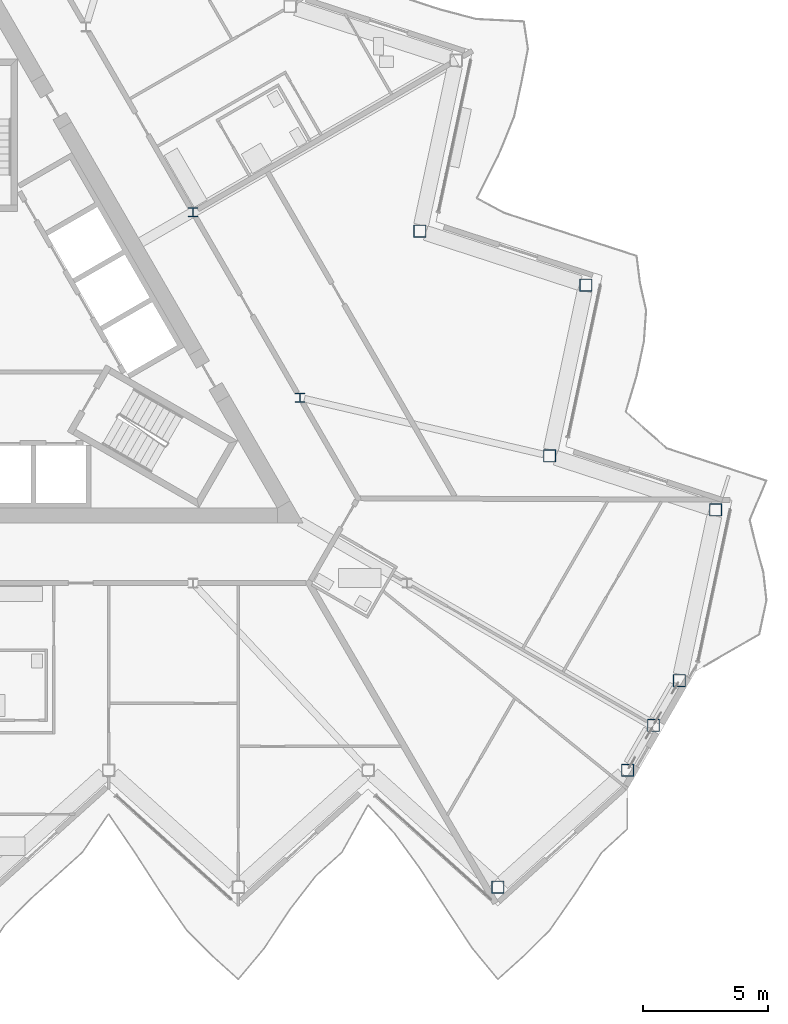
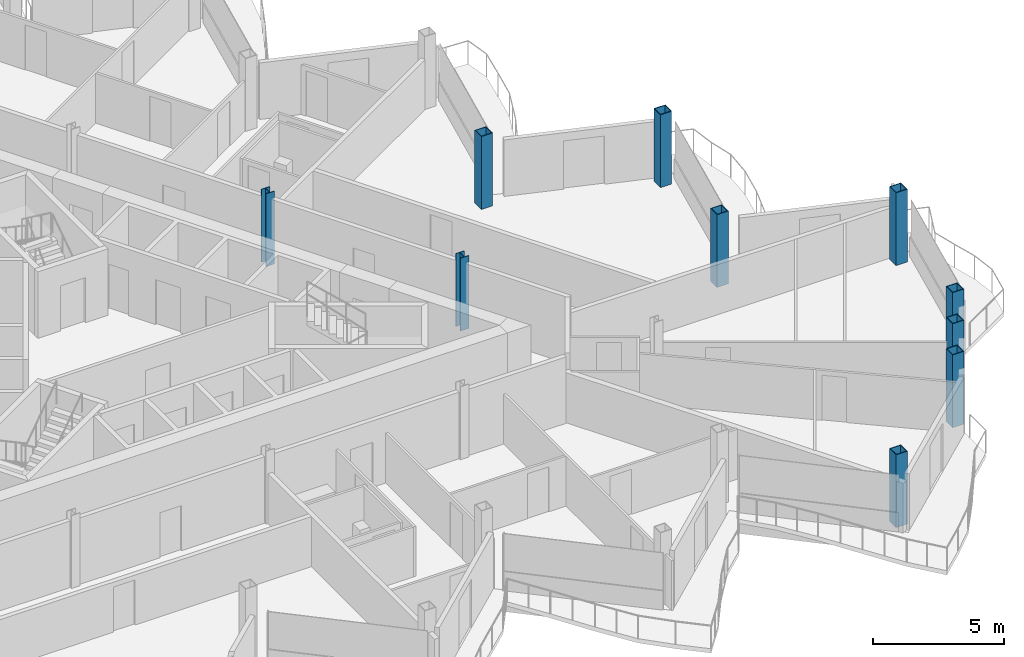
# One storey, part 2 of 27: 10 columns.
"""IFC4 building model written with IfcOpenShell, lengths in metres."""

from ifc_helpers import new_model, si_unit, direction, frame, origin, origin_2d, place, context, subcontext, project, spatial, hollow_rectangle, i_section, extrude, material, material_profile, profile_set, type_object, element, save


model = new_model("IFC4")

# Units and contexts
model_context = context("Model", 3, precision=1e-05, world=origin(), true_north=direction((0.0, 1.0)))
body_context = subcontext(model_context, "Body", "Model", "MODEL_VIEW")
ifc_project = project(units=[si_unit("LENGTHUNIT", "METRE"), si_unit("AREAUNIT", "SQUARE_METRE"), si_unit("VOLUMEUNIT", "CUBIC_METRE"), si_unit("PLANEANGLEUNIT", "RADIAN"), si_unit("MASSUNIT", "GRAM", prefix="KILO")], contexts=[model_context])

# Site, building, storey
site_placement = place(None, origin())
site = spatial("IfcSite", under=ifc_project, at=site_placement, CompositionType="ELEMENT")
building_placement = place(site_placement, origin())
building = spatial("IfcBuilding", under=site, at=building_placement, Name="Cormorant Prow Tower", CompositionType="ELEMENT")
storey_placement = place(building_placement, frame((0.0, 0.0, 361.0)))
storey = spatial("IfcBuildingStorey", under=building, at=storey_placement, Name="L80", CompositionType="ELEMENT", Elevation=361.0)

# Columns
ifc_material_1 = material(Name="Structural steel ASTM A572 Gr 50", Category="steel")
ifc_material_profile_1 = material_profile(ifc_material_1, hollow_rectangle(XDim=0.5, YDim=0.5, WallThickness=0.030029296875, at=origin_2d()), Name="Box 500x500x30")
ifc_profile_set_1 = profile_set([ifc_material_profile_1], Name="Structural steel ASTM A572 Gr 50")
column_type_1 = type_object("IfcColumnType", Name="Perimeter box column 500x500x30", PredefinedType="COLUMN", material=ifc_profile_set_1)
for number, where, z_axis, x_axis, name in (
    (1, (20.800048828125, -22.087890625, 0.0), (0.0, 0.0, 1.0), (1.0, 0.0, 0.0), "Perimeter column C7 at S09 L80"),
    (2, (26.0, -17.40576171875, 0.0), (0.0, 0.0, 1.0), (1.0, 0.0, 0.0), "Perimeter column C7 at ESE00 L80"),
    (3, (27.036865234375, -15.60986328125, 0.0), (0.0, 0.0, 1.0), (1.0, 0.0, 0.0), "Perimeter column C7 at ESE01 L80"),
    (4, (28.07373046875, -13.813720703125, 0.0), (0.0, 0.0, 1.0), (1.0, 0.0, 0.0), "Perimeter column C7 at ENE00 L80"),
    (5, (29.528564453125, -6.969482421875, 0.0), (0.0, 0.0, 1.0), (1.0, 0.0, 0.0), "Perimeter column C7 at ENE01 L80"),
    (6, (22.873779296875, -4.80712890625, 0.0), (0.0, 0.0, 1.0), (1.0, 0.0, 0.0), "Perimeter column C7 at ENE02 L80"),
    (7, (24.32861328125, 2.037353515625, 0.0), (0.0, 0.0, 1.0), (1.0, 0.0, 0.0), "Perimeter column C7 at ENE03 L80"),
    (8, (17.673828125, 4.199462890625, 0.0), (0.0, 0.0, 1.0), (1.0, 0.0, 0.0), "Perimeter column C7 at ENE04 L80"),
):
    element("IfcColumn", number, at=place(storey_placement, frame(where, z_axis=z_axis, x_axis=x_axis)), inside=storey, type_object=column_type_1, Name=name, PredefinedType="COLUMN", context=body_context, shape_type="SweptSolid", body=[
        extrude(hollow_rectangle(XDim=0.5, YDim=0.5, WallThickness=0.030029296875, at=origin_2d()), origin(), (0.0, 0.0, 1.0), 3.39990234375),
    ])
ifc_material_2 = material(Name="Structural steel ASTM A992 Gr 50", Category="steel")
ifc_material_profile_2 = material_profile(ifc_material_2, i_section(OverallWidth=0.3740234375, OverallDepth=0.372314453125, WebThickness=0.016357421875, FlangeThickness=0.026123046875, at=origin_2d()), Name="W14x132")
ifc_profile_set_2 = profile_set([ifc_material_profile_2], Name="Structural steel ASTM A992 Gr 50")
column_type_2 = type_object("IfcColumnType", Name="Ring column W14x132", PredefinedType="COLUMN", material=ifc_profile_set_2)
for number, where, z_axis, x_axis, name in (
    (9, (12.86767578125, -2.476318359375, 0.0), (0.0, 0.0, 1.0), (1.0, 0.0, 0.0), "Ring column 10 L80"),
    (10, (8.578369140625, 4.952880859375, 0.0), (0.0, 0.0, 1.0), (1.0, 0.0, 0.0), "Ring column 11 L80"),
):
    element("IfcColumn", number, at=place(storey_placement, frame(where, z_axis=z_axis, x_axis=x_axis)), inside=storey, type_object=column_type_2, Name=name, PredefinedType="COLUMN", context=body_context, shape_type="SweptSolid", body=[
        extrude(i_section(OverallWidth=0.3740234375, OverallDepth=0.372314453125, WebThickness=0.016357421875, FlangeThickness=0.026123046875, at=origin_2d()), origin(), (0.0, 0.0, 1.0), 3.39990234375),
    ])

save(model, "model.ifc")
